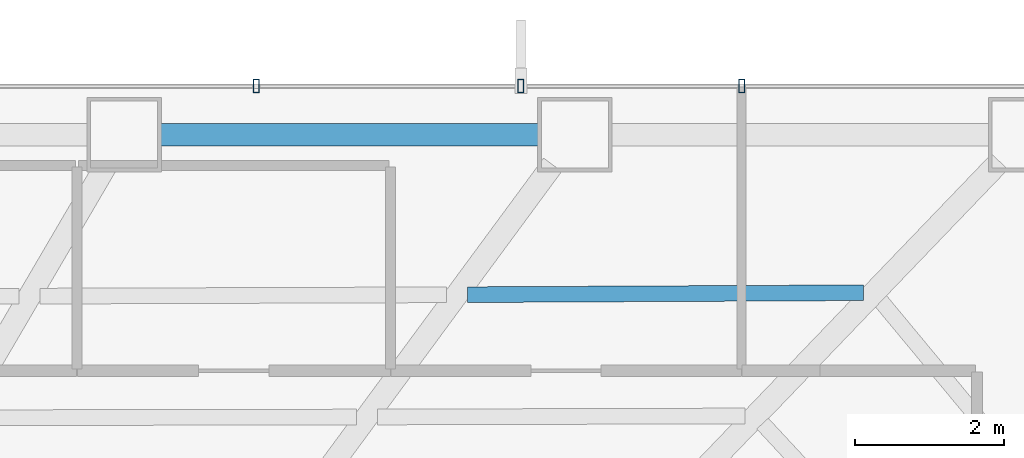
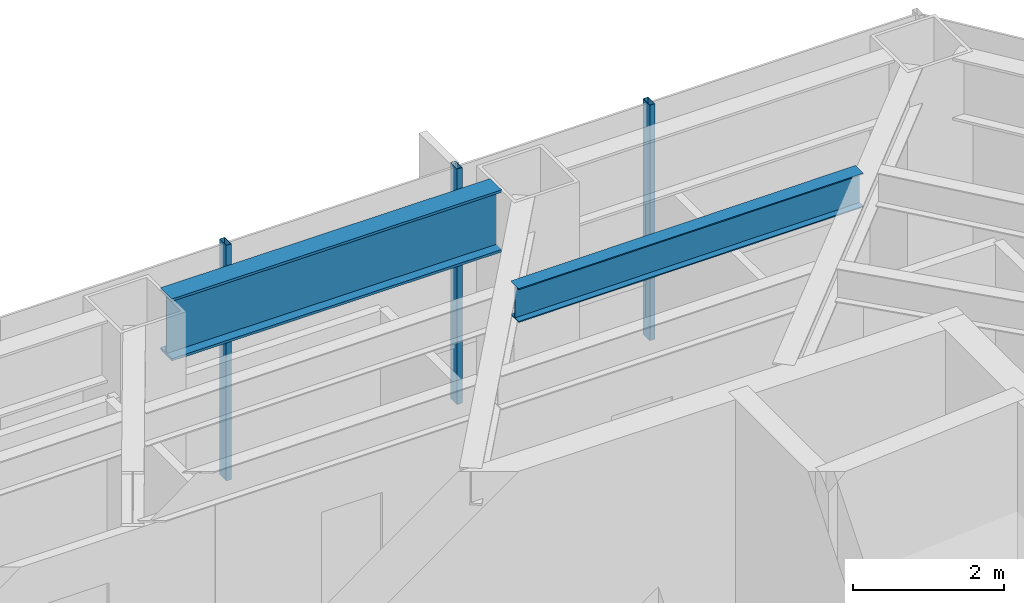
# One storey, part 12 of 24: 3 members, 2 beams, 1 element without a shape of its own.
"""IFC4 building model written with IfcOpenShell, lengths in metres."""

from ifc_helpers import new_model, si_unit, direction, frame, origin, origin_2d, place, context, subcontext, project, spatial, hollow_rectangle, i_section, extrude, material, layer, layer_set, material_profile, profile_set, type_object, element, aggregate, save


model = new_model("IFC4")

# Units and contexts
model_context = context("Model", 3, precision=1e-05, world=origin(), true_north=direction((0.0, 1.0)))
body_context = subcontext(model_context, "Body", "Model", "MODEL_VIEW")
ifc_project = project(units=[si_unit("LENGTHUNIT", "METRE"), si_unit("AREAUNIT", "SQUARE_METRE"), si_unit("VOLUMEUNIT", "CUBIC_METRE"), si_unit("PLANEANGLEUNIT", "RADIAN"), si_unit("MASSUNIT", "GRAM", prefix="KILO")], contexts=[model_context])

# Site, building, storey
site_placement = place(None, origin())
site = spatial("IfcSite", under=ifc_project, at=site_placement, CompositionType="ELEMENT")
building_placement = place(site_placement, origin())
building = spatial("IfcBuilding", under=site, at=building_placement, Name="Zarrinselat Tower", CompositionType="ELEMENT")
storey_placement = place(building_placement, frame((0.0, 0.0, 64.260009765625)))
storey = spatial("IfcBuildingStorey", under=building, at=storey_placement, Name="L15", CompositionType="ELEMENT", Elevation=64.260009765625)

# Beams
ifc_material_1 = material(Name="Steel S460M", Category="steel")
ifc_material_profile_1 = material_profile(ifc_material_1, i_section(OverallWidth=0.302001953125, OverallDepth=1.008056640625, WebThickness=0.02099609375, FlangeThickness=0.0400390625, at=origin_2d()), Name="HEM 1000")
ifc_profile_set_1 = profile_set([ifc_material_profile_1], Name="Steel S460M")
beam_type_1 = type_object("IfcBeamType", Name="BM-HEM1000", PredefinedType="BEAM", material=ifc_profile_set_1)
beam_1_placement = place(storey_placement, frame((39.519287109375, 49.1611328125, 3.31591796875), z_axis=(1.0, 0.0, 0.0), x_axis=(0.0, 1.0, 0.0)))
element("IfcBeam", 1, at=beam_1_placement, inside=storey, type_object=beam_type_1, Name="L15 Perimeter Spandrel Girder SP02", PredefinedType="BEAM", context=body_context, shape_type="SweptSolid", body=[
    extrude(i_section(OverallWidth=0.302001953125, OverallDepth=1.008056640625, WebThickness=0.02099609375, FlangeThickness=0.0400390625, at=origin_2d()), origin(), (0.0, 0.0, 1.0), 5.059814453125),
])
ifc_material_2 = material(Name="Steel S355J2", Category="steel")
ifc_material_profile_2 = material_profile(ifc_material_2, i_section(OverallWidth=0.2099609375, OverallDepth=0.550048828125, WebThickness=0.010986328125, FlangeThickness=0.01708984375, at=origin_2d()), Name="IPE 550")
ifc_profile_set_2 = profile_set([ifc_material_profile_2], Name="Steel S355J2")
beam_type_2 = type_object("IfcBeamType", Name="BM-IPE550", PredefinedType="JOIST", material=ifc_profile_set_2)
beam_2_placement = place(storey_placement, frame((43.627685546875, 47.017822265625, 3.544921875), z_axis=(0.999987637969, 0.004972314222, 0.0), x_axis=(-0.004972314222, 0.999987637969, 0.0)))
element("IfcBeam", 2, at=beam_2_placement, inside=storey, type_object=beam_type_2, Name="L15 Composite Floor Joist 7-1", PredefinedType="JOIST", context=body_context, shape_type="SweptSolid", body=[
    extrude(i_section(OverallWidth=0.2099609375, OverallDepth=0.550048828125, WebThickness=0.010986328125, FlangeThickness=0.01708984375, at=origin_2d()), origin(), (0.0, 0.0, 1.0), 5.302734375),
])

# Curtain wall, members
ifc_material_3 = material(Name="Extruded Aluminium Alloy EN AW-6063 T6", Category="aluminium")
ifc_layer = layer(ifc_material_3, 0.18505859375)
ifc_layer_set = layer_set([ifc_layer], Name="Extruded Aluminium Alloy EN AW-6063 T6")
curtain_wall_type = type_object("IfcCurtainWallType", Name="CWS-OFF", PredefinedType="NOTDEFINED", material=ifc_layer_set)
curtain_wall_placement = place(storey_placement, origin())
curtain_wall = element("IfcCurtainWall", 3, at=curtain_wall_placement, inside=storey, type_object=curtain_wall_type, Name="L15 Unitised Curtain Wall CW-L15-E02", PredefinedType="NOTDEFINED")
ifc_material_4 = material(Name="Extruded Aluminium Alloy EN AW-6063 T6", Category="aluminium")
ifc_material_profile_3 = material_profile(ifc_material_4, hollow_rectangle(XDim=0.080078125, YDim=0.179931640625, WallThickness=0.0048828125, at=origin_2d()), Name="RHS 180x80x5")
ifc_profile_set_3 = profile_set([ifc_material_profile_3], Name="Extruded Aluminium Alloy EN AW-6063 T6")
member_type = type_object("IfcMemberType", Name="MEM-CW-MUL", PredefinedType="MULLION", material=ifc_profile_set_3)
member_1_placement = place(storey_placement, frame((40.802001953125, 49.81103515625, 0.0), z_axis=(0.0, 0.0, 1.0), x_axis=(1.0, 0.0, 0.0)))
member_1 = element("IfcMember", 4, at=member_1_placement, type_object=member_type, Name="CW-L15-E02 Mullion 4", PredefinedType="MULLION", context=body_context, shape_type="SweptSolid", body=[
    extrude(hollow_rectangle(XDim=0.080078125, YDim=0.179931640625, WallThickness=0.0048828125, at=origin_2d()), origin(), (0.0, 0.0, 1.0), 3.820068359375),
])
member_2_placement = place(storey_placement, frame((44.34326171875, 49.81103515625, 0.0), z_axis=(0.0, 0.0, 1.0), x_axis=(1.0, 0.0, 0.0)))
member_2 = element("IfcMember", 5, at=member_2_placement, type_object=member_type, Name="CW-L15-E02 Mullion 5", PredefinedType="MULLION", context=body_context, shape_type="SweptSolid", body=[
    extrude(hollow_rectangle(XDim=0.080078125, YDim=0.179931640625, WallThickness=0.0048828125, at=origin_2d()), origin(), (0.0, 0.0, 1.0), 3.820068359375),
])
member_3_placement = place(storey_placement, frame((47.300048828125, 49.81103515625, 0.0), z_axis=(0.0, 0.0, 1.0), x_axis=(1.0, 0.0, 0.0)))
member_3 = element("IfcMember", 6, at=member_3_placement, type_object=member_type, Name="CW-L15-E02 Mullion 6", PredefinedType="MULLION", context=body_context, shape_type="SweptSolid", body=[
    extrude(hollow_rectangle(XDim=0.080078125, YDim=0.179931640625, WallThickness=0.0048828125, at=origin_2d()), origin(), (0.0, 0.0, 1.0), 3.820068359375),
])
aggregate(curtain_wall, [member_1, member_2, member_3])

save(model, "model.ifc")
